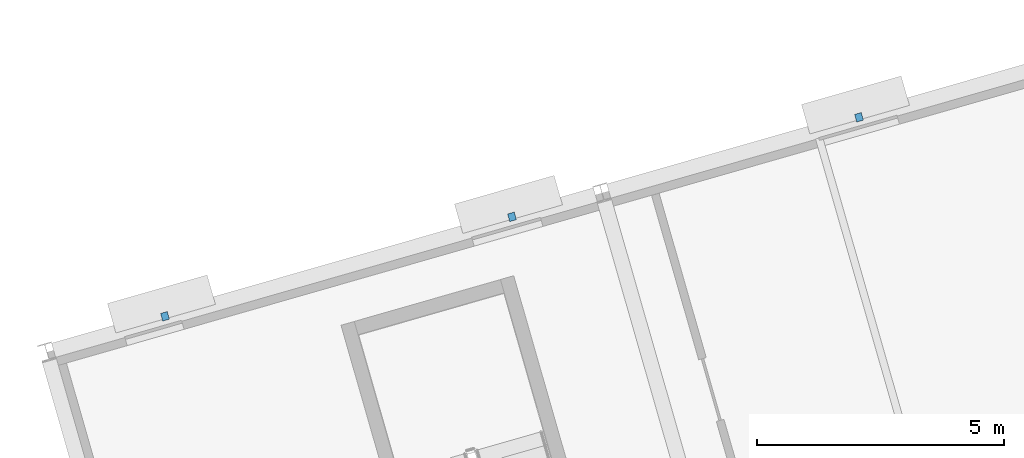
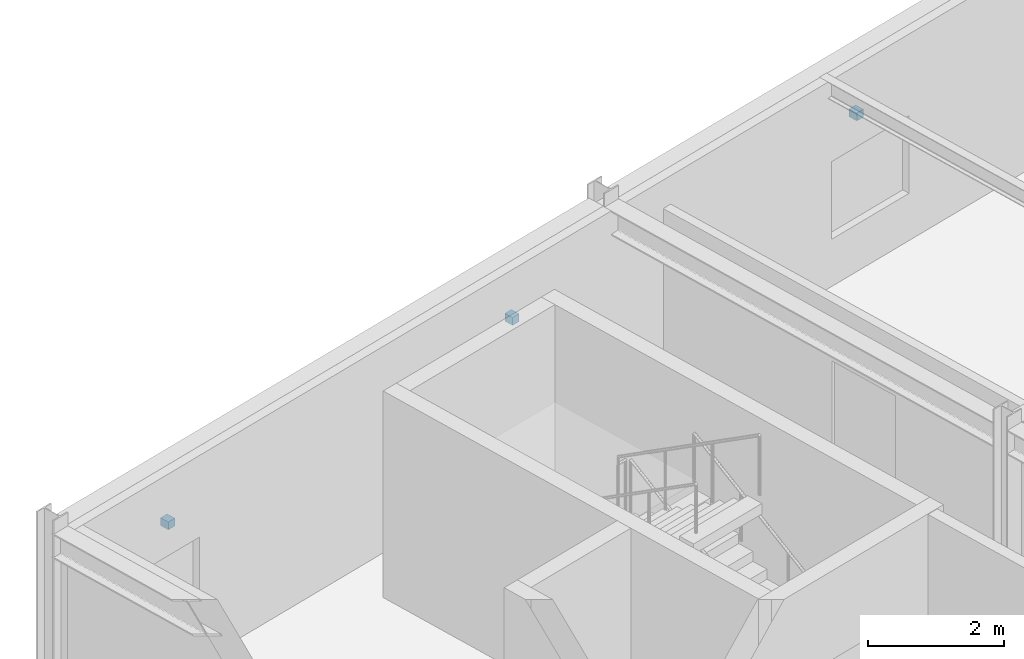
# One storey, part 34 of 44: 3 discrete accessories.
"""IFC4 building model written with IfcOpenShell, lengths in metres."""

from ifc_helpers import new_model, si_unit, direction, frame, origin, origin_2d, place, context, subcontext, project, spatial, rectangle, extrude, material, type_object, element, save


model = new_model("IFC4")

# Units and contexts
model_context = context("Model", 3, precision=1e-05, world=origin(), true_north=direction((0.0, 1.0)))
body_context = subcontext(model_context, "Body", "Model", "MODEL_VIEW")
ifc_project = project(units=[si_unit("LENGTHUNIT", "METRE"), si_unit("AREAUNIT", "SQUARE_METRE"), si_unit("VOLUMEUNIT", "CUBIC_METRE"), si_unit("PLANEANGLEUNIT", "RADIAN"), si_unit("MASSUNIT", "GRAM", prefix="KILO")], contexts=[model_context])

# Site, building, storey
site_placement = place(None, origin())
site = spatial("IfcSite", under=ifc_project, at=site_placement, CompositionType="ELEMENT")
building_placement = place(site_placement, origin())
building = spatial("IfcBuilding", under=site, at=building_placement, Name="Varnklinge Art Gallery", CompositionType="ELEMENT")
storey_placement = place(building_placement, frame((0.0, 0.0, 13.679931640625)))
storey = spatial("IfcBuildingStorey", under=building, at=storey_placement, Name="L03", CompositionType="ELEMENT", Elevation=13.679931640625)

# Discrete accessories
ifc_material = material(Name="Steel S355", Category="steel")
discrete_accessory_type = type_object("IfcDiscreteAccessoryType", Name="BRK-01", PredefinedType="BRACKET", material=ifc_material)
for number, where, z_axis, x_axis, name in (
    (1, (119.997802734375, 35.720703125, 2.43017578125), (0.0, 0.0, 1.0), (0.961261695938, 0.275637355817, 0.0), "L03 Fin Outrigger Bracket EW-V6-L03-02.1"),
    (2, (127.02783203125, 37.736572265625, 2.43017578125), (0.0, 0.0, 1.0), (0.961261695938, 0.275637355817, 0.0), "L03 Fin Outrigger Bracket EW-V6-L03-02.2"),
    (3, (134.05810546875, 39.75244140625, 2.43017578125), (0.0, 0.0, 1.0), (0.961261695938, 0.275637355817, 0.0), "L03 Fin Outrigger Bracket EW-V6-L03-02.3"),
):
    element("IfcDiscreteAccessory", number, at=place(storey_placement, frame(where, z_axis=z_axis, x_axis=x_axis)), inside=storey, type_object=discrete_accessory_type, Name=name, PredefinedType="BRACKET", context=body_context, shape_type="SweptSolid", body=[
        extrude(rectangle(XDim=0.139892578125, YDim=0.159912109375, at=origin_2d()), origin(), (0.0, 0.0, 1.0), 0.139892578125),
    ])

save(model, "model.ifc")
